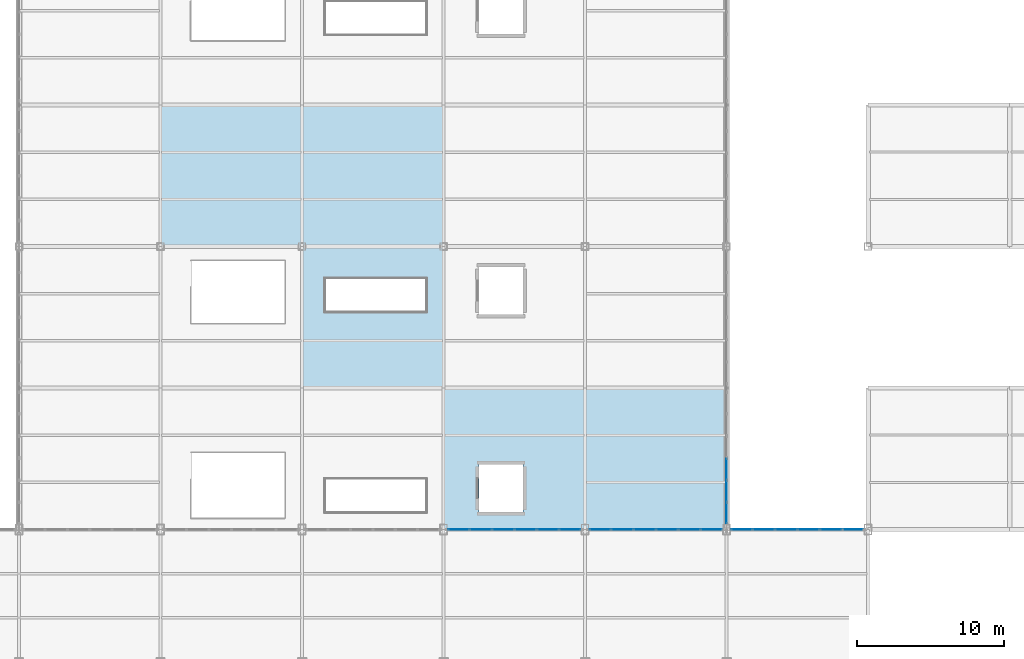
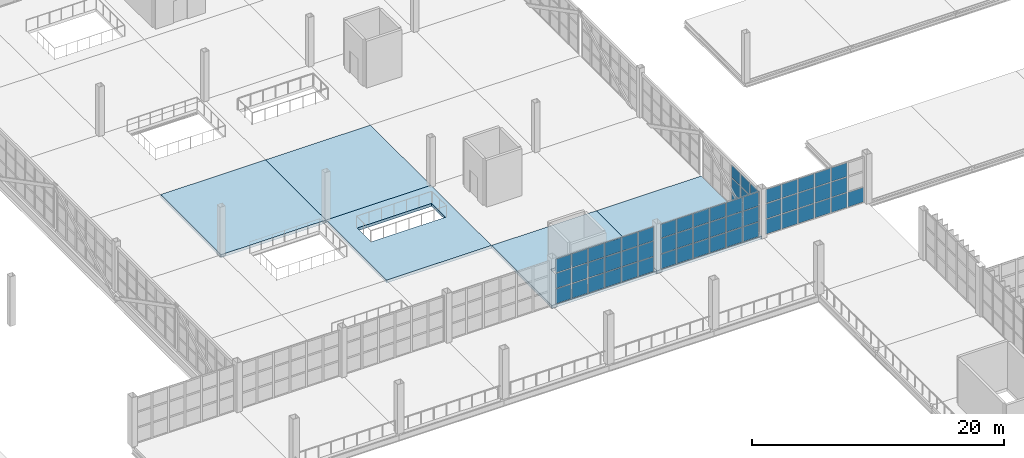
# One storey, part 84 of 120: 61 plates, 5 slabs, 4 elements without a shape of their own.
"""IFC4 building model written with IfcOpenShell, lengths in metres."""

from ifc_helpers import new_model, si_unit, direction, frame, origin, origin_2d, place, context, subcontext, project, spatial, polyline, rectangle, outline, extrude, material, layer, layer_set, type_object, element, aggregate, save


model = new_model("IFC4")

# Units and contexts
model_context = context("Model", 3, precision=1e-05, world=origin(), true_north=direction((0.0, 1.0)))
body_context = subcontext(model_context, "Body", "Model", "MODEL_VIEW")
ifc_project = project(units=[si_unit("LENGTHUNIT", "METRE"), si_unit("AREAUNIT", "SQUARE_METRE"), si_unit("VOLUMEUNIT", "CUBIC_METRE"), si_unit("PLANEANGLEUNIT", "RADIAN"), si_unit("MASSUNIT", "GRAM", prefix="KILO")], contexts=[model_context])

# Site, building, storey
site_placement = place(None, origin())
site = spatial("IfcSite", under=ifc_project, at=site_placement, CompositionType="ELEMENT")
building_placement = place(site_placement, origin())
building = spatial("IfcBuilding", under=site, at=building_placement, Name="Zarnetskaya Central Station", CompositionType="ELEMENT")
storey_placement = place(building_placement, frame((0.0, 0.0, 5.39990234375)))
storey = spatial("IfcBuildingStorey", under=building, at=storey_placement, Name="L01", CompositionType="ELEMENT", Elevation=5.39990234375)

# Curtain wall, plates
ifc_material_1 = material(Name="Low-E insulated glass", Category="glass")
ifc_layer_1 = layer(ifc_material_1, 0.159912109375, Name="Low-E insulated glass", Category="glass")
ifc_layer_set_1 = layer_set([ifc_layer_1], Name="Low-E insulated glass")
curtain_wall_type_1 = type_object("IfcCurtainWallType", Name="CW-SYS-16", PredefinedType="USERDEFINED", material=ifc_layer_set_1)
curtain_wall_1_placement = place(storey_placement, origin())
curtain_wall_1 = element("IfcCurtainWall", 1, at=curtain_wall_1_placement, inside=storey, type_object=curtain_wall_type_1, Name="Curtain wall CW-L01-085", ObjectType="CURTAIN WALL", PredefinedType="USERDEFINED")
ifc_layer_2 = layer(ifc_material_1, 0.028076171875, Name="Low-E insulated glass", Category="glass")
ifc_layer_set_2 = layer_set([ifc_layer_2], Name="Low-E insulated glass")
plate_type_1 = type_object("IfcPlateType", Name="CW-PAN-28", PredefinedType="CURTAIN_PANEL", material=ifc_layer_set_2)
plate_1_placement = place(storey_placement, frame((106.625732421875, 67.199951171875, 0.0703125), z_axis=(0.0, 0.0, 1.0), x_axis=(1.0, 0.0, 0.0)))
plate_1 = element("IfcPlate", 2, at=plate_1_placement, type_object=plate_type_1, Name="CW-11 panel 1.1", PredefinedType="CURTAIN_PANEL", context=body_context, shape_type="SweptSolid", body=[
    extrude(rectangle(XDim=1.41162109375, YDim=0.028076171875, at=origin_2d()), origin(), (0.0, 0.0, 1.0), 1.407958984375),
])
plate_2_placement = place(storey_placement, frame((106.625732421875, 67.199951171875, 1.5478515625), z_axis=(0.0, 0.0, 1.0), x_axis=(1.0, 0.0, 0.0)))
plate_2 = element("IfcPlate", 3, at=plate_2_placement, type_object=plate_type_1, Name="CW-11 panel 1.2", PredefinedType="CURTAIN_PANEL", context=body_context, shape_type="SweptSolid", body=[
    extrude(rectangle(XDim=1.41162109375, YDim=0.028076171875, at=origin_2d()), origin(), (0.0, 0.0, 1.0), 1.443115234375),
])
plate_3_placement = place(storey_placement, frame((106.625732421875, 67.199951171875, 3.06103515625), z_axis=(0.0, 0.0, 1.0), x_axis=(1.0, 0.0, 0.0)))
plate_3 = element("IfcPlate", 4, at=plate_3_placement, type_object=plate_type_1, Name="CW-11 panel 1.3", PredefinedType="CURTAIN_PANEL", context=body_context, shape_type="SweptSolid", body=[
    extrude(rectangle(XDim=1.41162109375, YDim=0.028076171875, at=origin_2d()), origin(), (0.0, 0.0, 1.0), 1.319091796875),
])
plate_4_placement = place(storey_placement, frame((108.125, 67.199951171875, 0.0703125), z_axis=(0.0, 0.0, 1.0), x_axis=(1.0, 0.0, 0.0)))
plate_4 = element("IfcPlate", 5, at=plate_4_placement, type_object=plate_type_1, Name="CW-11 panel 2.1", PredefinedType="CURTAIN_PANEL", context=body_context, shape_type="SweptSolid", body=[
    extrude(rectangle(XDim=1.44677734375, YDim=0.028076171875, at=origin_2d()), origin(), (0.0, 0.0, 1.0), 1.407958984375),
])
plate_5_placement = place(storey_placement, frame((108.125, 67.199951171875, 1.5478515625), z_axis=(0.0, 0.0, 1.0), x_axis=(1.0, 0.0, 0.0)))
plate_5 = element("IfcPlate", 6, at=plate_5_placement, type_object=plate_type_1, Name="CW-11 panel 2.2", PredefinedType="CURTAIN_PANEL", context=body_context, shape_type="SweptSolid", body=[
    extrude(rectangle(XDim=1.44677734375, YDim=0.028076171875, at=origin_2d()), origin(), (0.0, 0.0, 1.0), 1.443115234375),
])
plate_6_placement = place(storey_placement, frame((108.125, 67.199951171875, 3.06103515625), z_axis=(0.0, 0.0, 1.0), x_axis=(1.0, 0.0, 0.0)))
plate_6 = element("IfcPlate", 7, at=plate_6_placement, type_object=plate_type_1, Name="CW-11 panel 2.3", PredefinedType="CURTAIN_PANEL", context=body_context, shape_type="SweptSolid", body=[
    extrude(rectangle(XDim=1.44677734375, YDim=0.028076171875, at=origin_2d()), origin(), (0.0, 0.0, 1.0), 1.319091796875),
])
plate_7_placement = place(storey_placement, frame((109.6416015625, 67.199951171875, 0.0703125), z_axis=(0.0, 0.0, 1.0), x_axis=(1.0, 0.0, 0.0)))
plate_7 = element("IfcPlate", 8, at=plate_7_placement, type_object=plate_type_1, Name="CW-11 panel 3.1", PredefinedType="CURTAIN_PANEL", context=body_context, shape_type="SweptSolid", body=[
    extrude(rectangle(XDim=1.44677734375, YDim=0.028076171875, at=origin_2d()), origin(), (0.0, 0.0, 1.0), 1.407958984375),
])
plate_8_placement = place(storey_placement, frame((109.6416015625, 67.199951171875, 1.5478515625), z_axis=(0.0, 0.0, 1.0), x_axis=(1.0, 0.0, 0.0)))
plate_8 = element("IfcPlate", 9, at=plate_8_placement, type_object=plate_type_1, Name="CW-11 panel 3.2", PredefinedType="CURTAIN_PANEL", context=body_context, shape_type="SweptSolid", body=[
    extrude(rectangle(XDim=1.44677734375, YDim=0.028076171875, at=origin_2d()), origin(), (0.0, 0.0, 1.0), 1.443115234375),
])
plate_9_placement = place(storey_placement, frame((109.6416015625, 67.199951171875, 3.06103515625), z_axis=(0.0, 0.0, 1.0), x_axis=(1.0, 0.0, 0.0)))
plate_9 = element("IfcPlate", 10, at=plate_9_placement, type_object=plate_type_1, Name="CW-11 panel 3.3", PredefinedType="CURTAIN_PANEL", context=body_context, shape_type="SweptSolid", body=[
    extrude(rectangle(XDim=1.44677734375, YDim=0.028076171875, at=origin_2d()), origin(), (0.0, 0.0, 1.0), 1.319091796875),
])
plate_10_placement = place(storey_placement, frame((111.158447265625, 67.199951171875, 0.0703125), z_axis=(0.0, 0.0, 1.0), x_axis=(1.0, 0.0, 0.0)))
plate_10 = element("IfcPlate", 11, at=plate_10_placement, type_object=plate_type_1, Name="CW-11 panel 4.1", PredefinedType="CURTAIN_PANEL", context=body_context, shape_type="SweptSolid", body=[
    extrude(rectangle(XDim=1.44677734375, YDim=0.028076171875, at=origin_2d()), origin(), (0.0, 0.0, 1.0), 1.407958984375),
])
plate_11_placement = place(storey_placement, frame((111.158447265625, 67.199951171875, 1.5478515625), z_axis=(0.0, 0.0, 1.0), x_axis=(1.0, 0.0, 0.0)))
plate_11 = element("IfcPlate", 12, at=plate_11_placement, type_object=plate_type_1, Name="CW-11 panel 4.2", PredefinedType="CURTAIN_PANEL", context=body_context, shape_type="SweptSolid", body=[
    extrude(rectangle(XDim=1.44677734375, YDim=0.028076171875, at=origin_2d()), origin(), (0.0, 0.0, 1.0), 1.443115234375),
])
plate_12_placement = place(storey_placement, frame((111.158447265625, 67.199951171875, 3.06103515625), z_axis=(0.0, 0.0, 1.0), x_axis=(1.0, 0.0, 0.0)))
plate_12 = element("IfcPlate", 13, at=plate_12_placement, type_object=plate_type_1, Name="CW-11 panel 4.3", PredefinedType="CURTAIN_PANEL", context=body_context, shape_type="SweptSolid", body=[
    extrude(rectangle(XDim=1.44677734375, YDim=0.028076171875, at=origin_2d()), origin(), (0.0, 0.0, 1.0), 1.319091796875),
])
plate_13_placement = place(storey_placement, frame((112.675048828125, 67.199951171875, 0.0703125), z_axis=(0.0, 0.0, 1.0), x_axis=(1.0, 0.0, 0.0)))
plate_13 = element("IfcPlate", 14, at=plate_13_placement, type_object=plate_type_1, Name="CW-11 panel 5.1", PredefinedType="CURTAIN_PANEL", context=body_context, shape_type="SweptSolid", body=[
    extrude(rectangle(XDim=1.44677734375, YDim=0.028076171875, at=origin_2d()), origin(), (0.0, 0.0, 1.0), 1.407958984375),
])
plate_14_placement = place(storey_placement, frame((112.675048828125, 67.199951171875, 1.5478515625), z_axis=(0.0, 0.0, 1.0), x_axis=(1.0, 0.0, 0.0)))
plate_14 = element("IfcPlate", 15, at=plate_14_placement, type_object=plate_type_1, Name="CW-11 panel 5.2", PredefinedType="CURTAIN_PANEL", context=body_context, shape_type="SweptSolid", body=[
    extrude(rectangle(XDim=1.44677734375, YDim=0.028076171875, at=origin_2d()), origin(), (0.0, 0.0, 1.0), 1.443115234375),
])
plate_15_placement = place(storey_placement, frame((112.675048828125, 67.199951171875, 3.06103515625), z_axis=(0.0, 0.0, 1.0), x_axis=(1.0, 0.0, 0.0)))
plate_15 = element("IfcPlate", 16, at=plate_15_placement, type_object=plate_type_1, Name="CW-11 panel 5.3", PredefinedType="CURTAIN_PANEL", context=body_context, shape_type="SweptSolid", body=[
    extrude(rectangle(XDim=1.44677734375, YDim=0.028076171875, at=origin_2d()), origin(), (0.0, 0.0, 1.0), 1.319091796875),
])
plate_16_placement = place(storey_placement, frame((114.174072265625, 67.199951171875, 0.0703125), z_axis=(0.0, 0.0, 1.0), x_axis=(1.0, 0.0, 0.0)))
plate_16 = element("IfcPlate", 17, at=plate_16_placement, type_object=plate_type_1, Name="CW-11 panel 6.1", PredefinedType="CURTAIN_PANEL", context=body_context, shape_type="SweptSolid", body=[
    extrude(rectangle(XDim=1.41162109375, YDim=0.028076171875, at=origin_2d()), origin(), (0.0, 0.0, 1.0), 1.407958984375),
])
plate_17_placement = place(storey_placement, frame((114.174072265625, 67.199951171875, 1.5478515625), z_axis=(0.0, 0.0, 1.0), x_axis=(1.0, 0.0, 0.0)))
plate_17 = element("IfcPlate", 18, at=plate_17_placement, type_object=plate_type_1, Name="CW-11 panel 6.2", PredefinedType="CURTAIN_PANEL", context=body_context, shape_type="SweptSolid", body=[
    extrude(rectangle(XDim=1.41162109375, YDim=0.028076171875, at=origin_2d()), origin(), (0.0, 0.0, 1.0), 1.443115234375),
])
plate_18_placement = place(storey_placement, frame((114.174072265625, 67.199951171875, 3.06103515625), z_axis=(0.0, 0.0, 1.0), x_axis=(1.0, 0.0, 0.0)))
plate_18 = element("IfcPlate", 19, at=plate_18_placement, type_object=plate_type_1, Name="CW-11 panel 6.3", PredefinedType="CURTAIN_PANEL", context=body_context, shape_type="SweptSolid", body=[
    extrude(rectangle(XDim=1.41162109375, YDim=0.028076171875, at=origin_2d()), origin(), (0.0, 0.0, 1.0), 1.319091796875),
])
aggregate(curtain_wall_1, [plate_1, plate_2, plate_3, plate_4, plate_5, plate_6, plate_7, plate_8, plate_9, plate_10, plate_11, plate_12, plate_13, plate_14, plate_15, plate_16, plate_17, plate_18])

ifc_layer_3 = layer(ifc_material_1, 0.1640625, Name="Low-E insulated glass", Category="glass")
ifc_layer_set_3 = layer_set([ifc_layer_3], Name="Low-E insulated glass")
curtain_wall_type_2 = type_object("IfcCurtainWallType", Name="CW-SYS-17", PredefinedType="USERDEFINED", material=ifc_layer_set_3)
curtain_wall_2_placement = place(storey_placement, origin())
curtain_wall_2 = element("IfcCurtainWall", 20, at=curtain_wall_2_placement, inside=storey, type_object=curtain_wall_type_2, Name="Curtain wall CW-L01-087", ObjectType="CURTAIN WALL", PredefinedType="USERDEFINED")
ifc_layer_4 = layer(ifc_material_1, 0.035888671875, Name="Low-E insulated glass", Category="glass")
ifc_layer_set_4 = layer_set([ifc_layer_4], Name="Low-E insulated glass")
plate_type_2 = type_object("IfcPlateType", Name="CW-PAN-36", PredefinedType="CURTAIN_PANEL", material=ifc_layer_set_4)
plate_19_placement = place(storey_placement, frame((116.225830078125, 67.199951171875, 0.0703125), z_axis=(0.0, 0.0, 1.0), x_axis=(1.0, 0.0, 0.0)))
plate_19 = element("IfcPlate", 21, at=plate_19_placement, type_object=plate_type_2, Name="CW-03 panel 1.1", PredefinedType="CURTAIN_PANEL", context=body_context, shape_type="SweptSolid", body=[
    extrude(rectangle(XDim=1.41162109375, YDim=0.035888671875, at=origin_2d()), origin(), (0.0, 0.0, 1.0), 1.407958984375),
])
plate_20_placement = place(storey_placement, frame((116.225830078125, 67.199951171875, 1.5478515625), z_axis=(0.0, 0.0, 1.0), x_axis=(1.0, 0.0, 0.0)))
plate_20 = element("IfcPlate", 22, at=plate_20_placement, type_object=plate_type_2, Name="CW-03 panel 1.2", PredefinedType="CURTAIN_PANEL", context=body_context, shape_type="SweptSolid", body=[
    extrude(rectangle(XDim=1.41162109375, YDim=0.035888671875, at=origin_2d()), origin(), (0.0, 0.0, 1.0), 1.443115234375),
])
plate_21_placement = place(storey_placement, frame((116.225830078125, 67.199951171875, 3.06103515625), z_axis=(0.0, 0.0, 1.0), x_axis=(1.0, 0.0, 0.0)))
plate_21 = element("IfcPlate", 23, at=plate_21_placement, type_object=plate_type_2, Name="CW-03 panel 1.3", PredefinedType="CURTAIN_PANEL", context=body_context, shape_type="SweptSolid", body=[
    extrude(rectangle(XDim=1.41162109375, YDim=0.035888671875, at=origin_2d()), origin(), (0.0, 0.0, 1.0), 1.319091796875),
])
plate_22_placement = place(storey_placement, frame((117.72509765625, 67.199951171875, 0.0703125), z_axis=(0.0, 0.0, 1.0), x_axis=(1.0, 0.0, 0.0)))
plate_22 = element("IfcPlate", 24, at=plate_22_placement, type_object=plate_type_2, Name="CW-03 panel 2.1", PredefinedType="CURTAIN_PANEL", context=body_context, shape_type="SweptSolid", body=[
    extrude(rectangle(XDim=1.44677734375, YDim=0.035888671875, at=origin_2d()), origin(), (0.0, 0.0, 1.0), 1.407958984375),
])
plate_23_placement = place(storey_placement, frame((117.72509765625, 67.199951171875, 1.5478515625), z_axis=(0.0, 0.0, 1.0), x_axis=(1.0, 0.0, 0.0)))
plate_23 = element("IfcPlate", 25, at=plate_23_placement, type_object=plate_type_2, Name="CW-03 panel 2.2", PredefinedType="CURTAIN_PANEL", context=body_context, shape_type="SweptSolid", body=[
    extrude(rectangle(XDim=1.44677734375, YDim=0.035888671875, at=origin_2d()), origin(), (0.0, 0.0, 1.0), 1.443115234375),
])
plate_24_placement = place(storey_placement, frame((117.72509765625, 67.199951171875, 3.06103515625), z_axis=(0.0, 0.0, 1.0), x_axis=(1.0, 0.0, 0.0)))
plate_24 = element("IfcPlate", 26, at=plate_24_placement, type_object=plate_type_2, Name="CW-03 panel 2.3", PredefinedType="CURTAIN_PANEL", context=body_context, shape_type="SweptSolid", body=[
    extrude(rectangle(XDim=1.44677734375, YDim=0.035888671875, at=origin_2d()), origin(), (0.0, 0.0, 1.0), 1.319091796875),
])
plate_25_placement = place(storey_placement, frame((119.24169921875, 67.199951171875, 0.0703125), z_axis=(0.0, 0.0, 1.0), x_axis=(1.0, 0.0, 0.0)))
plate_25 = element("IfcPlate", 27, at=plate_25_placement, type_object=plate_type_2, Name="CW-03 panel 3.1", PredefinedType="CURTAIN_PANEL", context=body_context, shape_type="SweptSolid", body=[
    extrude(rectangle(XDim=1.44677734375, YDim=0.035888671875, at=origin_2d()), origin(), (0.0, 0.0, 1.0), 1.407958984375),
])
plate_26_placement = place(storey_placement, frame((119.24169921875, 67.199951171875, 1.5478515625), z_axis=(0.0, 0.0, 1.0), x_axis=(1.0, 0.0, 0.0)))
plate_26 = element("IfcPlate", 28, at=plate_26_placement, type_object=plate_type_2, Name="CW-03 panel 3.2", PredefinedType="CURTAIN_PANEL", context=body_context, shape_type="SweptSolid", body=[
    extrude(rectangle(XDim=1.44677734375, YDim=0.035888671875, at=origin_2d()), origin(), (0.0, 0.0, 1.0), 1.443115234375),
])
plate_27_placement = place(storey_placement, frame((119.24169921875, 67.199951171875, 3.06103515625), z_axis=(0.0, 0.0, 1.0), x_axis=(1.0, 0.0, 0.0)))
plate_27 = element("IfcPlate", 29, at=plate_27_placement, type_object=plate_type_2, Name="CW-03 panel 3.3", PredefinedType="CURTAIN_PANEL", context=body_context, shape_type="SweptSolid", body=[
    extrude(rectangle(XDim=1.44677734375, YDim=0.035888671875, at=origin_2d()), origin(), (0.0, 0.0, 1.0), 1.319091796875),
])
plate_28_placement = place(storey_placement, frame((120.75830078125, 67.199951171875, 0.0703125), z_axis=(0.0, 0.0, 1.0), x_axis=(1.0, 0.0, 0.0)))
plate_28 = element("IfcPlate", 30, at=plate_28_placement, type_object=plate_type_2, Name="CW-03 panel 4.1", PredefinedType="CURTAIN_PANEL", context=body_context, shape_type="SweptSolid", body=[
    extrude(rectangle(XDim=1.44677734375, YDim=0.035888671875, at=origin_2d()), origin(), (0.0, 0.0, 1.0), 1.407958984375),
])
plate_29_placement = place(storey_placement, frame((120.75830078125, 67.199951171875, 1.5478515625), z_axis=(0.0, 0.0, 1.0), x_axis=(1.0, 0.0, 0.0)))
plate_29 = element("IfcPlate", 31, at=plate_29_placement, type_object=plate_type_2, Name="CW-03 panel 4.2", PredefinedType="CURTAIN_PANEL", context=body_context, shape_type="SweptSolid", body=[
    extrude(rectangle(XDim=1.44677734375, YDim=0.035888671875, at=origin_2d()), origin(), (0.0, 0.0, 1.0), 1.443115234375),
])
plate_30_placement = place(storey_placement, frame((120.75830078125, 67.199951171875, 3.06103515625), z_axis=(0.0, 0.0, 1.0), x_axis=(1.0, 0.0, 0.0)))
plate_30 = element("IfcPlate", 32, at=plate_30_placement, type_object=plate_type_2, Name="CW-03 panel 4.3", PredefinedType="CURTAIN_PANEL", context=body_context, shape_type="SweptSolid", body=[
    extrude(rectangle(XDim=1.44677734375, YDim=0.035888671875, at=origin_2d()), origin(), (0.0, 0.0, 1.0), 1.319091796875),
])
plate_31_placement = place(storey_placement, frame((122.27490234375, 67.199951171875, 0.0703125), z_axis=(0.0, 0.0, 1.0), x_axis=(1.0, 0.0, 0.0)))
plate_31 = element("IfcPlate", 33, at=plate_31_placement, type_object=plate_type_2, Name="CW-03 panel 5.1", PredefinedType="CURTAIN_PANEL", context=body_context, shape_type="SweptSolid", body=[
    extrude(rectangle(XDim=1.44677734375, YDim=0.035888671875, at=origin_2d()), origin(), (0.0, 0.0, 1.0), 1.407958984375),
])
plate_32_placement = place(storey_placement, frame((122.27490234375, 67.199951171875, 1.5478515625), z_axis=(0.0, 0.0, 1.0), x_axis=(1.0, 0.0, 0.0)))
plate_32 = element("IfcPlate", 34, at=plate_32_placement, type_object=plate_type_2, Name="CW-03 panel 5.2", PredefinedType="CURTAIN_PANEL", context=body_context, shape_type="SweptSolid", body=[
    extrude(rectangle(XDim=1.44677734375, YDim=0.035888671875, at=origin_2d()), origin(), (0.0, 0.0, 1.0), 1.443115234375),
])
plate_33_placement = place(storey_placement, frame((122.27490234375, 67.199951171875, 3.06103515625), z_axis=(0.0, 0.0, 1.0), x_axis=(1.0, 0.0, 0.0)))
plate_33 = element("IfcPlate", 35, at=plate_33_placement, type_object=plate_type_2, Name="CW-03 panel 5.3", PredefinedType="CURTAIN_PANEL", context=body_context, shape_type="SweptSolid", body=[
    extrude(rectangle(XDim=1.44677734375, YDim=0.035888671875, at=origin_2d()), origin(), (0.0, 0.0, 1.0), 1.319091796875),
])
plate_34_placement = place(storey_placement, frame((123.774169921875, 67.199951171875, 0.0703125), z_axis=(0.0, 0.0, 1.0), x_axis=(1.0, 0.0, 0.0)))
plate_34 = element("IfcPlate", 36, at=plate_34_placement, type_object=plate_type_2, Name="CW-03 panel 6.1", PredefinedType="CURTAIN_PANEL", context=body_context, shape_type="SweptSolid", body=[
    extrude(rectangle(XDim=1.41162109375, YDim=0.035888671875, at=origin_2d()), origin(), (0.0, 0.0, 1.0), 1.407958984375),
])
aggregate(curtain_wall_2, [plate_19, plate_20, plate_21, plate_22, plate_23, plate_24, plate_25, plate_26, plate_27, plate_28, plate_29, plate_30, plate_31, plate_32, plate_33, plate_34])

ifc_layer_5 = layer(ifc_material_1, 0.172119140625, Name="Low-E insulated glass", Category="glass")
ifc_layer_set_5 = layer_set([ifc_layer_5], Name="Low-E insulated glass")
curtain_wall_type_3 = type_object("IfcCurtainWallType", Name="CW-SYS-09", PredefinedType="USERDEFINED", material=ifc_layer_set_5)
curtain_wall_3_placement = place(storey_placement, origin())
curtain_wall_3 = element("IfcCurtainWall", 37, at=curtain_wall_3_placement, inside=storey, type_object=curtain_wall_type_3, Name="Curtain wall CW-L01-162", ObjectType="CURTAIN WALL", PredefinedType="USERDEFINED")
plate_35_placement = place(storey_placement, frame((115.199951171875, 71.300048828125, 0.080078125), z_axis=(0.0, 0.0, 1.0), x_axis=(0.0, -1.0, 0.0)))
plate_35 = element("IfcPlate", 38, at=plate_35_placement, type_object=plate_type_2, Name="CW-07 panel 4.1", PredefinedType="CURTAIN_PANEL", context=body_context, shape_type="SweptSolid", body=[
    extrude(rectangle(XDim=1.419921875, YDim=0.035888671875, at=origin_2d()), origin(), (0.0, 0.0, 1.0), 1.27392578125),
])
plate_36_placement = place(storey_placement, frame((115.199951171875, 71.300048828125, 1.43408203125), z_axis=(0.0, 0.0, 1.0), x_axis=(0.0, -1.0, 0.0)))
plate_36 = element("IfcPlate", 39, at=plate_36_placement, type_object=plate_type_2, Name="CW-07 panel 4.2", PredefinedType="CURTAIN_PANEL", context=body_context, shape_type="SweptSolid", body=[
    extrude(rectangle(XDim=1.419921875, YDim=0.035888671875, at=origin_2d()), origin(), (0.0, 0.0, 1.0), 1.31396484375),
])
plate_37_placement = place(storey_placement, frame((115.199951171875, 71.300048828125, 2.828125), z_axis=(0.0, 0.0, 1.0), x_axis=(0.0, -1.0, 0.0)))
plate_37 = element("IfcPlate", 40, at=plate_37_placement, type_object=plate_type_2, Name="CW-07 panel 4.3", PredefinedType="CURTAIN_PANEL", context=body_context, shape_type="SweptSolid", body=[
    extrude(rectangle(XDim=1.419921875, YDim=0.035888671875, at=origin_2d()), origin(), (0.0, 0.0, 1.0), 1.19189453125),
])
plate_38_placement = place(storey_placement, frame((115.199951171875, 69.800048828125, 0.080078125), z_axis=(0.0, 0.0, 1.0), x_axis=(0.0, -1.0, 0.0)))
plate_38 = element("IfcPlate", 41, at=plate_38_placement, type_object=plate_type_2, Name="CW-07 panel 5.1", PredefinedType="CURTAIN_PANEL", context=body_context, shape_type="SweptSolid", body=[
    extrude(rectangle(XDim=1.419921875, YDim=0.035888671875, at=origin_2d()), origin(), (0.0, 0.0, 1.0), 1.27392578125),
])
plate_39_placement = place(storey_placement, frame((115.199951171875, 69.800048828125, 1.43408203125), z_axis=(0.0, 0.0, 1.0), x_axis=(0.0, -1.0, 0.0)))
plate_39 = element("IfcPlate", 42, at=plate_39_placement, type_object=plate_type_2, Name="CW-07 panel 5.2", PredefinedType="CURTAIN_PANEL", context=body_context, shape_type="SweptSolid", body=[
    extrude(rectangle(XDim=1.419921875, YDim=0.035888671875, at=origin_2d()), origin(), (0.0, 0.0, 1.0), 1.31396484375),
])
plate_40_placement = place(storey_placement, frame((115.199951171875, 69.800048828125, 2.828125), z_axis=(0.0, 0.0, 1.0), x_axis=(0.0, -1.0, 0.0)))
plate_40 = element("IfcPlate", 43, at=plate_40_placement, type_object=plate_type_2, Name="CW-07 panel 5.3", PredefinedType="CURTAIN_PANEL", context=body_context, shape_type="SweptSolid", body=[
    extrude(rectangle(XDim=1.419921875, YDim=0.035888671875, at=origin_2d()), origin(), (0.0, 0.0, 1.0), 1.19189453125),
])
plate_41_placement = place(storey_placement, frame((115.199951171875, 68.320068359375, 0.080078125), z_axis=(0.0, 0.0, 1.0), x_axis=(0.0, -1.0, 0.0)))
plate_41 = element("IfcPlate", 44, at=plate_41_placement, type_object=plate_type_2, Name="CW-07 panel 6.1", PredefinedType="CURTAIN_PANEL", context=body_context, shape_type="SweptSolid", body=[
    extrude(rectangle(XDim=1.3798828125, YDim=0.035888671875, at=origin_2d()), origin(), (0.0, 0.0, 1.0), 1.27392578125),
])
plate_42_placement = place(storey_placement, frame((115.199951171875, 68.320068359375, 1.43408203125), z_axis=(0.0, 0.0, 1.0), x_axis=(0.0, -1.0, 0.0)))
plate_42 = element("IfcPlate", 45, at=plate_42_placement, type_object=plate_type_2, Name="CW-07 panel 6.2", PredefinedType="CURTAIN_PANEL", context=body_context, shape_type="SweptSolid", body=[
    extrude(rectangle(XDim=1.3798828125, YDim=0.035888671875, at=origin_2d()), origin(), (0.0, 0.0, 1.0), 1.31396484375),
])
plate_43_placement = place(storey_placement, frame((115.199951171875, 68.320068359375, 2.828125), z_axis=(0.0, 0.0, 1.0), x_axis=(0.0, -1.0, 0.0)))
plate_43 = element("IfcPlate", 46, at=plate_43_placement, type_object=plate_type_2, Name="CW-07 panel 6.3", PredefinedType="CURTAIN_PANEL", context=body_context, shape_type="SweptSolid", body=[
    extrude(rectangle(XDim=1.3798828125, YDim=0.035888671875, at=origin_2d()), origin(), (0.0, 0.0, 1.0), 1.19189453125),
])
aggregate(curtain_wall_3, [plate_35, plate_36, plate_37, plate_38, plate_39, plate_40, plate_41, plate_42, plate_43])

ifc_layer_6 = layer(ifc_material_1, 0.176025390625, Name="Low-E insulated glass", Category="glass")
ifc_layer_set_6 = layer_set([ifc_layer_6], Name="Low-E insulated glass")
curtain_wall_type_4 = type_object("IfcCurtainWallType", Name="CW-SYS-15", PredefinedType="USERDEFINED", material=ifc_layer_set_6)
curtain_wall_4_placement = place(storey_placement, origin())
curtain_wall_4 = element("IfcCurtainWall", 47, at=curtain_wall_4_placement, inside=storey, type_object=curtain_wall_type_4, Name="Curtain wall CW-L01-083", ObjectType="CURTAIN WALL", PredefinedType="USERDEFINED")
ifc_layer_7 = layer(ifc_material_1, 0.0400390625, Name="Low-E insulated glass", Category="glass")
ifc_layer_set_7 = layer_set([ifc_layer_7], Name="Low-E insulated glass")
plate_type_3 = type_object("IfcPlateType", Name="CW-PAN-40", PredefinedType="CURTAIN_PANEL", material=ifc_layer_set_7)
plate_44_placement = place(storey_placement, frame((97.02587890625, 67.199951171875, 0.0703125), z_axis=(0.0, 0.0, 1.0), x_axis=(1.0, 0.0, 0.0)))
plate_44 = element("IfcPlate", 48, at=plate_44_placement, type_object=plate_type_3, Name="CW-05 panel 1.1", PredefinedType="CURTAIN_PANEL", context=body_context, shape_type="SweptSolid", body=[
    extrude(rectangle(XDim=1.41162109375, YDim=0.0400390625, at=origin_2d()), origin(), (0.0, 0.0, 1.0), 1.407958984375),
])
plate_45_placement = place(storey_placement, frame((97.02587890625, 67.199951171875, 1.5478515625), z_axis=(0.0, 0.0, 1.0), x_axis=(1.0, 0.0, 0.0)))
plate_45 = element("IfcPlate", 49, at=plate_45_placement, type_object=plate_type_3, Name="CW-05 panel 1.2", PredefinedType="CURTAIN_PANEL", context=body_context, shape_type="SweptSolid", body=[
    extrude(rectangle(XDim=1.41162109375, YDim=0.0400390625, at=origin_2d()), origin(), (0.0, 0.0, 1.0), 1.443115234375),
])
plate_46_placement = place(storey_placement, frame((97.02587890625, 67.199951171875, 3.06103515625), z_axis=(0.0, 0.0, 1.0), x_axis=(1.0, 0.0, 0.0)))
plate_46 = element("IfcPlate", 50, at=plate_46_placement, type_object=plate_type_3, Name="CW-05 panel 1.3", PredefinedType="CURTAIN_PANEL", context=body_context, shape_type="SweptSolid", body=[
    extrude(rectangle(XDim=1.41162109375, YDim=0.0400390625, at=origin_2d()), origin(), (0.0, 0.0, 1.0), 1.319091796875),
])
plate_47_placement = place(storey_placement, frame((98.52490234375, 67.199951171875, 0.0703125), z_axis=(0.0, 0.0, 1.0), x_axis=(1.0, 0.0, 0.0)))
plate_47 = element("IfcPlate", 51, at=plate_47_placement, type_object=plate_type_3, Name="CW-05 panel 2.1", PredefinedType="CURTAIN_PANEL", context=body_context, shape_type="SweptSolid", body=[
    extrude(rectangle(XDim=1.44677734375, YDim=0.0400390625, at=origin_2d()), origin(), (0.0, 0.0, 1.0), 1.407958984375),
])
plate_48_placement = place(storey_placement, frame((98.52490234375, 67.199951171875, 1.5478515625), z_axis=(0.0, 0.0, 1.0), x_axis=(1.0, 0.0, 0.0)))
plate_48 = element("IfcPlate", 52, at=plate_48_placement, type_object=plate_type_3, Name="CW-05 panel 2.2", PredefinedType="CURTAIN_PANEL", context=body_context, shape_type="SweptSolid", body=[
    extrude(rectangle(XDim=1.44677734375, YDim=0.0400390625, at=origin_2d()), origin(), (0.0, 0.0, 1.0), 1.443115234375),
])
plate_49_placement = place(storey_placement, frame((98.52490234375, 67.199951171875, 3.06103515625), z_axis=(0.0, 0.0, 1.0), x_axis=(1.0, 0.0, 0.0)))
plate_49 = element("IfcPlate", 53, at=plate_49_placement, type_object=plate_type_3, Name="CW-05 panel 2.3", PredefinedType="CURTAIN_PANEL", context=body_context, shape_type="SweptSolid", body=[
    extrude(rectangle(XDim=1.44677734375, YDim=0.0400390625, at=origin_2d()), origin(), (0.0, 0.0, 1.0), 1.319091796875),
])
plate_50_placement = place(storey_placement, frame((100.041748046875, 67.199951171875, 0.0703125), z_axis=(0.0, 0.0, 1.0), x_axis=(1.0, 0.0, 0.0)))
plate_50 = element("IfcPlate", 54, at=plate_50_placement, type_object=plate_type_3, Name="CW-05 panel 3.1", PredefinedType="CURTAIN_PANEL", context=body_context, shape_type="SweptSolid", body=[
    extrude(rectangle(XDim=1.44677734375, YDim=0.0400390625, at=origin_2d()), origin(), (0.0, 0.0, 1.0), 1.407958984375),
])
plate_51_placement = place(storey_placement, frame((100.041748046875, 67.199951171875, 1.5478515625), z_axis=(0.0, 0.0, 1.0), x_axis=(1.0, 0.0, 0.0)))
plate_51 = element("IfcPlate", 55, at=plate_51_placement, type_object=plate_type_3, Name="CW-05 panel 3.2", PredefinedType="CURTAIN_PANEL", context=body_context, shape_type="SweptSolid", body=[
    extrude(rectangle(XDim=1.44677734375, YDim=0.0400390625, at=origin_2d()), origin(), (0.0, 0.0, 1.0), 1.443115234375),
])
plate_52_placement = place(storey_placement, frame((100.041748046875, 67.199951171875, 3.06103515625), z_axis=(0.0, 0.0, 1.0), x_axis=(1.0, 0.0, 0.0)))
plate_52 = element("IfcPlate", 56, at=plate_52_placement, type_object=plate_type_3, Name="CW-05 panel 3.3", PredefinedType="CURTAIN_PANEL", context=body_context, shape_type="SweptSolid", body=[
    extrude(rectangle(XDim=1.44677734375, YDim=0.0400390625, at=origin_2d()), origin(), (0.0, 0.0, 1.0), 1.319091796875),
])
plate_53_placement = place(storey_placement, frame((101.558349609375, 67.199951171875, 0.0703125), z_axis=(0.0, 0.0, 1.0), x_axis=(1.0, 0.0, 0.0)))
plate_53 = element("IfcPlate", 57, at=plate_53_placement, type_object=plate_type_3, Name="CW-05 panel 4.1", PredefinedType="CURTAIN_PANEL", context=body_context, shape_type="SweptSolid", body=[
    extrude(rectangle(XDim=1.44677734375, YDim=0.0400390625, at=origin_2d()), origin(), (0.0, 0.0, 1.0), 1.407958984375),
])
plate_54_placement = place(storey_placement, frame((101.558349609375, 67.199951171875, 1.5478515625), z_axis=(0.0, 0.0, 1.0), x_axis=(1.0, 0.0, 0.0)))
plate_54 = element("IfcPlate", 58, at=plate_54_placement, type_object=plate_type_3, Name="CW-05 panel 4.2", PredefinedType="CURTAIN_PANEL", context=body_context, shape_type="SweptSolid", body=[
    extrude(rectangle(XDim=1.44677734375, YDim=0.0400390625, at=origin_2d()), origin(), (0.0, 0.0, 1.0), 1.443115234375),
])
plate_55_placement = place(storey_placement, frame((101.558349609375, 67.199951171875, 3.06103515625), z_axis=(0.0, 0.0, 1.0), x_axis=(1.0, 0.0, 0.0)))
plate_55 = element("IfcPlate", 59, at=plate_55_placement, type_object=plate_type_3, Name="CW-05 panel 4.3", PredefinedType="CURTAIN_PANEL", context=body_context, shape_type="SweptSolid", body=[
    extrude(rectangle(XDim=1.44677734375, YDim=0.0400390625, at=origin_2d()), origin(), (0.0, 0.0, 1.0), 1.319091796875),
])
plate_56_placement = place(storey_placement, frame((103.074951171875, 67.199951171875, 0.0703125), z_axis=(0.0, 0.0, 1.0), x_axis=(1.0, 0.0, 0.0)))
plate_56 = element("IfcPlate", 60, at=plate_56_placement, type_object=plate_type_3, Name="CW-05 panel 5.1", PredefinedType="CURTAIN_PANEL", context=body_context, shape_type="SweptSolid", body=[
    extrude(rectangle(XDim=1.44677734375, YDim=0.0400390625, at=origin_2d()), origin(), (0.0, 0.0, 1.0), 1.407958984375),
])
plate_57_placement = place(storey_placement, frame((103.074951171875, 67.199951171875, 1.5478515625), z_axis=(0.0, 0.0, 1.0), x_axis=(1.0, 0.0, 0.0)))
plate_57 = element("IfcPlate", 61, at=plate_57_placement, type_object=plate_type_3, Name="CW-05 panel 5.2", PredefinedType="CURTAIN_PANEL", context=body_context, shape_type="SweptSolid", body=[
    extrude(rectangle(XDim=1.44677734375, YDim=0.0400390625, at=origin_2d()), origin(), (0.0, 0.0, 1.0), 1.443115234375),
])
plate_58_placement = place(storey_placement, frame((103.074951171875, 67.199951171875, 3.06103515625), z_axis=(0.0, 0.0, 1.0), x_axis=(1.0, 0.0, 0.0)))
plate_58 = element("IfcPlate", 62, at=plate_58_placement, type_object=plate_type_3, Name="CW-05 panel 5.3", PredefinedType="CURTAIN_PANEL", context=body_context, shape_type="SweptSolid", body=[
    extrude(rectangle(XDim=1.44677734375, YDim=0.0400390625, at=origin_2d()), origin(), (0.0, 0.0, 1.0), 1.319091796875),
])
plate_59_placement = place(storey_placement, frame((104.57421875, 67.199951171875, 0.0703125), z_axis=(0.0, 0.0, 1.0), x_axis=(1.0, 0.0, 0.0)))
plate_59 = element("IfcPlate", 63, at=plate_59_placement, type_object=plate_type_3, Name="CW-05 panel 6.1", PredefinedType="CURTAIN_PANEL", context=body_context, shape_type="SweptSolid", body=[
    extrude(rectangle(XDim=1.41162109375, YDim=0.0400390625, at=origin_2d()), origin(), (0.0, 0.0, 1.0), 1.407958984375),
])
plate_60_placement = place(storey_placement, frame((104.57421875, 67.199951171875, 1.5478515625), z_axis=(0.0, 0.0, 1.0), x_axis=(1.0, 0.0, 0.0)))
plate_60 = element("IfcPlate", 64, at=plate_60_placement, type_object=plate_type_3, Name="CW-05 panel 6.2", PredefinedType="CURTAIN_PANEL", context=body_context, shape_type="SweptSolid", body=[
    extrude(rectangle(XDim=1.41162109375, YDim=0.0400390625, at=origin_2d()), origin(), (0.0, 0.0, 1.0), 1.443115234375),
])
plate_61_placement = place(storey_placement, frame((104.57421875, 67.199951171875, 3.06103515625), z_axis=(0.0, 0.0, 1.0), x_axis=(1.0, 0.0, 0.0)))
plate_61 = element("IfcPlate", 65, at=plate_61_placement, type_object=plate_type_3, Name="CW-05 panel 6.3", PredefinedType="CURTAIN_PANEL", context=body_context, shape_type="SweptSolid", body=[
    extrude(rectangle(XDim=1.41162109375, YDim=0.0400390625, at=origin_2d()), origin(), (0.0, 0.0, 1.0), 1.319091796875),
])
aggregate(curtain_wall_4, [plate_44, plate_45, plate_46, plate_47, plate_48, plate_49, plate_50, plate_51, plate_52, plate_53, plate_54, plate_55, plate_56, plate_57, plate_58, plate_59, plate_60, plate_61])

# Slabs
ifc_material_2 = material(Name="Concrete C30/37", Category="concrete")
ifc_layer_8 = layer(ifc_material_2, 0.280029296875, Name="Concrete C30/37", Category="concrete")
ifc_layer_set_8 = layer_set([ifc_layer_8], Name="Concrete C30/37")
slab_type = type_object("IfcSlabType", Name="SLAB-BRG-280", PredefinedType="FLOOR", material=ifc_layer_set_8)
slab_1_placement = place(storey_placement, frame((0.0, 0.0, -0.27978515625)))
element("IfcSlab", 66, at=slab_1_placement, inside=storey, type_object=slab_type, Name="L01 slab J-K/11-12", PredefinedType="FLOOR", context=body_context, shape_type="SweptSolid", body=[
    extrude(outline(polyline([(76.800048828125, 86.39990234375), (86.39990234375, 86.39990234375), (86.39990234375, 96.0), (76.800048828125, 96.0), (76.800048828125, 86.39990234375)])), origin(), (0.0, 0.0, 1.0), 0.27978515625),
])
slab_2_placement = place(storey_placement, frame((0.0, 0.0, -0.27978515625)))
element("IfcSlab", 67, at=slab_2_placement, inside=storey, type_object=slab_type, Name="L01 slab K-L/10-11", PredefinedType="FLOOR", context=body_context, shape_type="SweptSolid", body=[
    extrude(outline(polyline([(86.39990234375, 76.800048828125), (96.0, 76.800048828125), (96.0, 86.39990234375), (86.39990234375, 86.39990234375), (86.39990234375, 76.800048828125)]), holes=[polyline([(88.0, 82.0), (94.800048828125, 82.0), (94.800048828125, 84.199951171875), (88.0, 84.199951171875), (88.0, 82.0)])]), origin(), (0.0, 0.0, 1.0), 0.27978515625),
])
slab_3_placement = place(storey_placement, frame((0.0, 0.0, -0.27978515625)))
element("IfcSlab", 68, at=slab_3_placement, inside=storey, type_object=slab_type, Name="L01 slab K-L/11-12", PredefinedType="FLOOR", context=body_context, shape_type="SweptSolid", body=[
    extrude(outline(polyline([(86.39990234375, 86.39990234375), (96.0, 86.39990234375), (96.0, 96.0), (86.39990234375, 96.0), (86.39990234375, 86.39990234375)])), origin(), (0.0, 0.0, 1.0), 0.27978515625),
])
slab_4_placement = place(storey_placement, frame((0.0, 0.0, -0.27978515625)))
element("IfcSlab", 69, at=slab_4_placement, inside=storey, type_object=slab_type, Name="L01 slab L-M/9-10", PredefinedType="FLOOR", context=body_context, shape_type="SweptSolid", body=[
    extrude(outline(polyline([(96.0, 67.199951171875), (105.60009765625, 67.199951171875), (105.60009765625, 76.800048828125), (96.0, 76.800048828125), (96.0, 67.199951171875)]), holes=[polyline([(98.39990234375, 68.39990234375), (101.39990234375, 68.39990234375), (101.39990234375, 71.60009765625), (98.39990234375, 71.60009765625), (98.39990234375, 68.39990234375)])]), origin(), (0.0, 0.0, 1.0), 0.27978515625),
])
slab_5_placement = place(storey_placement, frame((0.0, 0.0, -0.27978515625)))
element("IfcSlab", 70, at=slab_5_placement, inside=storey, type_object=slab_type, Name="L01 slab M-N/9-10", PredefinedType="FLOOR", context=body_context, shape_type="SweptSolid", body=[
    extrude(outline(polyline([(105.60009765625, 67.199951171875), (115.199951171875, 67.199951171875), (115.199951171875, 76.800048828125), (105.60009765625, 76.800048828125), (105.60009765625, 67.199951171875)])), origin(), (0.0, 0.0, 1.0), 0.27978515625),
])

save(model, "model.ifc")
